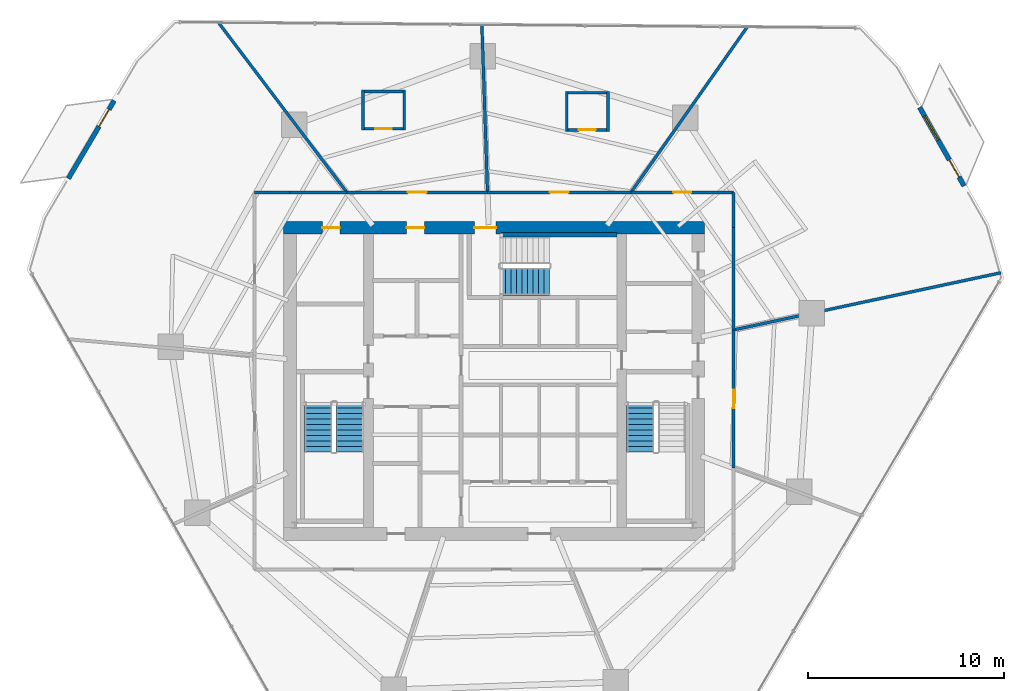
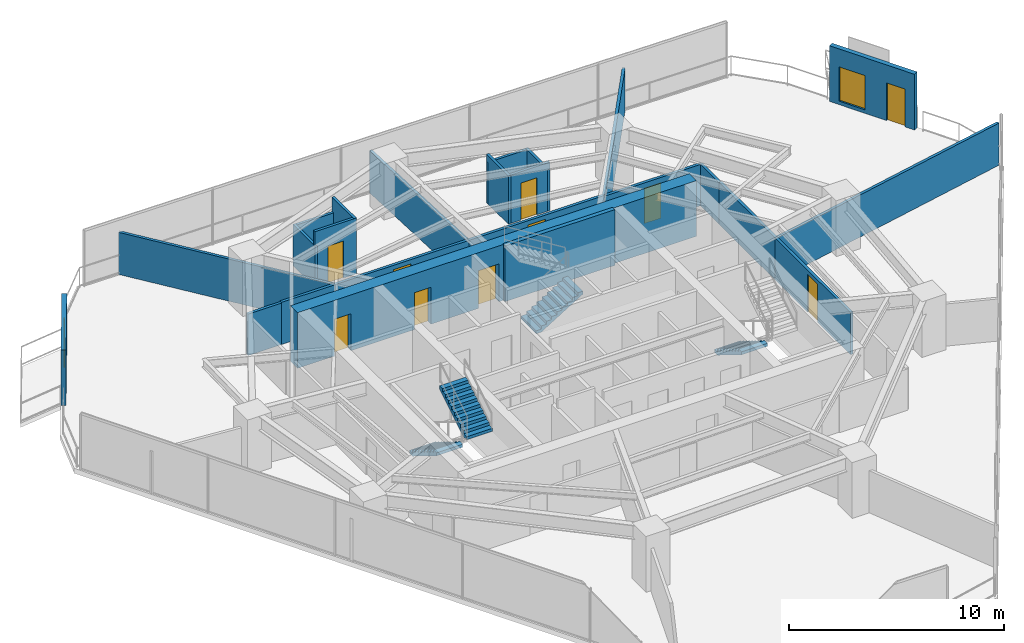
# One storey, part 26 of 31: 24 walls, 11 doors, 4 stair flights, 1 window, 12 openings, 3 elements without a shape of their own.
"""IFC4 building model written with IfcOpenShell, lengths in metres."""

from ifc_helpers import new_model, si_unit, direction, frame, frame_2d, origin, place, context, subcontext, project, spatial, polyline, rectangle, outline, extrude, material, layer, layer_set, type_object, element, fill, aggregate, save


model = new_model("IFC4")

# Units and contexts
model_context = context("Model", 3, precision=1e-05, world=origin(), true_north=direction((0.0, 1.0)))
body_context = subcontext(model_context, "Body", "Model", "MODEL_VIEW")
ifc_project = project(units=[si_unit("LENGTHUNIT", "METRE"), si_unit("AREAUNIT", "SQUARE_METRE"), si_unit("VOLUMEUNIT", "CUBIC_METRE"), si_unit("PLANEANGLEUNIT", "RADIAN"), si_unit("MASSUNIT", "GRAM", prefix="KILO")], contexts=[model_context])

# Site, building, storey
site_placement = place(None, origin())
site = spatial("IfcSite", under=ifc_project, at=site_placement, CompositionType="ELEMENT")
building_placement = place(site_placement, origin())
building = spatial("IfcBuilding", under=site, at=building_placement, Name="Qarnah Convention Tower", CompositionType="ELEMENT")
storey_placement = place(building_placement, frame((0.0, 0.0, 64.949951171875)))
storey = spatial("IfcBuildingStorey", under=building, at=storey_placement, Name="L16", CompositionType="ELEMENT", Elevation=64.949951171875)

# Wall, openings, doors
ifc_material_1 = material(Name="Concrete C60/75", Category="concrete")
ifc_layer_1 = layer(ifc_material_1, 0.64990234375)
ifc_layer_set_1 = layer_set([ifc_layer_1], Name="Concrete C60/75")
wall_type_1 = type_object("IfcWallType", Name="WL-CORE-650", PredefinedType="SHEAR", material=ifc_layer_set_1)
wall_1_placement = place(storey_placement, frame((26.47509765625, 34.199951171875, 0.0), z_axis=(0.0, 0.0, 1.0), x_axis=(1.0, 0.0, 0.0)))
wall_1 = element("IfcWall", 1, at=wall_1_placement, inside=storey, type_object=wall_type_1, Name="L16 core north shear wall", PredefinedType="SHEAR", context=body_context, shape_type="SweptSolid", body=[
    extrude(rectangle(XDim=21.449951171875, YDim=0.64990234375, at=frame_2d((10.72509765625, 0.0))), origin(), (0.0, 0.0, 1.0), 3.170166015625),
])
opening_1_placement = place(wall_1_placement, frame((9.72509765625, 0.0, 0.0)))
opening_1 = element("IfcOpeningElement", 2, at=opening_1_placement, cuts=wall_1, Name="Opening D-1603", PredefinedType="OPENING", context=body_context, shape_type="SweptSolid", body=[
    extrude(rectangle(XDim=1.10009765625, YDim=2.14990234375, at=frame_2d((0.550048828125, 1.074951171875))), frame((0.0, 0.3349609375, 0.0), z_axis=(0.0, -1.0, 0.0), x_axis=(1.0, 0.0, 0.0)), (0.0, 0.0, 1.0), 0.669921875),
])
opening_2_placement = place(wall_1_placement, frame((1.97509765625, 0.0, 0.0)))
opening_2 = element("IfcOpeningElement", 3, at=opening_2_placement, cuts=wall_1, Name="Opening D-1609", PredefinedType="OPENING", context=body_context, shape_type="SweptSolid", body=[
    extrude(rectangle(XDim=0.89990234375, YDim=2.10009765625, at=frame_2d((0.449951171875, 1.050048828125))), frame((0.0, 0.3349609375, 0.0), z_axis=(0.0, -1.0, 0.0), x_axis=(1.0, 0.0, 0.0)), (0.0, 0.0, 1.0), 0.669921875),
])
opening_3_placement = place(wall_1_placement, frame((6.27490234375, 0.0, 0.0)))
opening_3 = element("IfcOpeningElement", 4, at=opening_3_placement, cuts=wall_1, Name="Opening D-1610", PredefinedType="OPENING", context=body_context, shape_type="SweptSolid", body=[
    extrude(rectangle(XDim=0.89990234375, YDim=2.10009765625, at=frame_2d((0.449951171875, 1.050048828125))), frame((0.0, 0.3349609375, 0.0), z_axis=(0.0, -1.0, 0.0), x_axis=(1.0, 0.0, 0.0)), (0.0, 0.0, 1.0), 0.669921875),
])
ifc_material_2 = material(Name="Structural steel S355JR", Category="steel")
door_type_1 = type_object("IfcDoorType", Name="DT-RISER-900", OperationType="NOTDEFINED", PredefinedType="DOOR", material=ifc_material_2)
door_1_placement = place(opening_2_placement, origin())
door_1 = element("IfcDoor", 5, at=door_1_placement, inside=storey, type_object=door_type_1, Name="Door D-1609", OperationType="SINGLE_SWING_LEFT", OverallHeight=2.10009765625, OverallWidth=0.89990234375, PredefinedType="DOOR", context=body_context, shape_type="SweptSolid", body=[
    extrude(rectangle(XDim=0.89990234375, YDim=2.10009765625, at=frame_2d((0.449951171875, 1.050048828125))), frame((0.0, 0.02490234375, 0.0), z_axis=(0.0, -1.0, 0.0), x_axis=(1.0, 0.0, 0.0)), (0.0, 0.0, 1.0), 0.050048828125),
])
fill(opening_2, door_1)
door_2_placement = place(opening_3_placement, origin())
door_2 = element("IfcDoor", 6, at=door_2_placement, inside=storey, type_object=door_type_1, Name="Door D-1610", OperationType="SINGLE_SWING_RIGHT", OverallHeight=2.10009765625, OverallWidth=0.89990234375, PredefinedType="DOOR", context=body_context, shape_type="SweptSolid", body=[
    extrude(rectangle(XDim=0.89990234375, YDim=2.10009765625, at=frame_2d((0.449951171875, 1.050048828125))), frame((0.0, 0.02490234375, 0.0), z_axis=(0.0, -1.0, 0.0), x_axis=(1.0, 0.0, 0.0)), (0.0, 0.0, 1.0), 0.050048828125),
])
fill(opening_3, door_2)
door_type_2 = type_object("IfcDoorType", Name="DT-STAIR-1100", OperationType="NOTDEFINED", PredefinedType="DOOR", material=ifc_material_2)
door_3_placement = place(opening_1_placement, origin())
door_3 = element("IfcDoor", 7, at=door_3_placement, inside=storey, type_object=door_type_2, Name="Door D-1603", OperationType="SINGLE_SWING_LEFT", OverallHeight=2.14990234375, OverallWidth=1.10009765625, PredefinedType="DOOR", context=body_context, shape_type="SweptSolid", body=[
    extrude(rectangle(XDim=1.10009765625, YDim=2.14990234375, at=frame_2d((0.550048828125, 1.074951171875))), frame((0.0, 0.02490234375, 0.0), z_axis=(0.0, -1.0, 0.0), x_axis=(1.0, 0.0, 0.0)), (0.0, 0.0, 1.0), 0.050048828125),
])
fill(opening_1, door_3)

# Wall
ifc_layer_2 = layer(ifc_material_1, 0.219970703125)
ifc_layer_set_2 = layer_set([ifc_layer_2], Name="Concrete C60/75")
wall_type_2 = type_object("IfcWallType", Name="WL-CORE-STAIR-220", PredefinedType="SHEAR", material=ifc_layer_set_2)
wall_2_placement = place(storey_placement, frame((37.550048828125, 33.840087890625, 0.0), z_axis=(0.0, 0.0, 1.0), x_axis=(1.0, 0.0, 0.0)))
element("IfcWall", 8, at=wall_2_placement, inside=storey, type_object=wall_type_2, Name="L16 stair shaft shear wall SW-L16-ST3N", PredefinedType="SHEAR", context=body_context, shape_type="SweptSolid", body=[
    extrude(rectangle(XDim=5.89990234375, YDim=0.219970703125, at=frame_2d((2.949951171875, 0.0))), origin(), (0.0, 0.0, 1.0), 3.170166015625),
])

# Wall, openings, door, window
ifc_material_3 = material(Name="Precast concrete C45/55", Category="concrete")
ifc_layer_3 = layer(ifc_material_3, 0.239990234375)
ifc_layer_set_3 = layer_set([ifc_layer_3], Name="Precast concrete C45/55")
wall_type_3 = type_object("IfcWallType", Name="WL-EXT-BAL-240", PredefinedType="SOLIDWALL", material=ifc_layer_set_3)
wall_3_placement = place(storey_placement, frame((58.8720703125, 40.325927734375, 0.0), z_axis=(0.0, 0.0, 1.0), x_axis=(0.492768843328, -0.870160253657, 0.0)))
wall_3 = element("IfcWall", 9, at=wall_3_placement, inside=storey, type_object=wall_type_3, Name="L16 loggia threshold wall BAL-L16-C1", PredefinedType="SOLIDWALL", context=body_context, shape_type="SweptSolid", body=[
    extrude(rectangle(XDim=4.600341796875, YDim=0.239990234375, at=frame_2d((2.30029296875, 0.0))), origin(), (0.0, 0.0, 1.0), 3.170166015625),
])
opening_4_placement = place(wall_3_placement, frame((3.080078125, 0.0, 0.0)))
opening_4 = element("IfcOpeningElement", 10, at=opening_4_placement, cuts=wall_3, Name="Opening BD-1601", PredefinedType="OPENING", context=body_context, shape_type="SweptSolid", body=[
    extrude(rectangle(XDim=1.0, YDim=2.14990234375, at=frame_2d((0.5, 1.074951171875))), frame((0.0, 0.1298828125, 0.0), z_axis=(0.0, -1.0, 0.0), x_axis=(1.0, 0.0, 0.0)), (0.0, 0.0, 1.0), 0.260009765625),
])
opening_5_placement = place(wall_3_placement, frame((0.52001953125, 0.0, 0.199951171875)))
opening_5 = element("IfcOpeningElement", 11, at=opening_5_placement, cuts=wall_3, Name="Opening WN4", PredefinedType="OPENING", context=body_context, shape_type="SweptSolid", body=[
    extrude(rectangle(XDim=1.39990234375, YDim=1.949951171875, at=frame_2d((0.699951171875, 0.97509765625))), frame((0.0, 0.1298828125, 0.0), z_axis=(0.0, -1.0, 0.0), x_axis=(1.0, 0.0, 0.0)), (0.0, 0.0, 1.0), 0.260009765625),
])
ifc_material_4 = material(Name="Black anodised aluminium", Category="aluminium")
door_type_3 = type_object("IfcDoorType", Name="DT-BAL-1000", OperationType="NOTDEFINED", PredefinedType="DOOR", material=ifc_material_4)
door_4_placement = place(opening_4_placement, origin())
door_4 = element("IfcDoor", 12, at=door_4_placement, inside=storey, type_object=door_type_3, Name="L16 balcony terrace door BAL-L16-C1", OperationType="SINGLE_SWING_RIGHT", OverallHeight=2.14990234375, OverallWidth=1.0, PredefinedType="DOOR", context=body_context, shape_type="SweptSolid", body=[
    extrude(rectangle(XDim=1.0, YDim=2.14990234375, at=frame_2d((0.5, 1.074951171875))), frame((0.0, 0.02490234375, 0.0), z_axis=(0.0, -1.0, 0.0), x_axis=(1.0, 0.0, 0.0)), (0.0, 0.0, 1.0), 0.050048828125),
])
fill(opening_4, door_4)
ifc_material_5 = material(Name="Tempered Low-E dark glass", Category="glass")
window_type = type_object("IfcWindowType", Name="WT-BAL-1400X2000", PartitioningType="SINGLE_PANEL", PredefinedType="WINDOW", material=ifc_material_5)
window_placement = place(opening_5_placement, origin())
window = element("IfcWindow", 13, at=window_placement, inside=storey, type_object=window_type, Name="Window BW-BAL-L16-C1", OverallHeight=1.949951171875, OverallWidth=1.39990234375, PartitioningType="SINGLE_PANEL", PredefinedType="WINDOW", context=body_context, shape_type="SweptSolid", body=[
    extrude(rectangle(XDim=1.39990234375, YDim=1.949951171875, at=frame_2d((0.699951171875, 0.97509765625))), frame((0.0, 0.030029296875, 0.0), z_axis=(0.0, -1.0, 0.0), x_axis=(1.0, 0.0, 0.0)), (0.0, 0.0, 1.0), 0.06005859375),
])
fill(opening_5, window)

# Wall, opening, door
wall_4_placement = place(storey_placement, frame((15.51806640625, 36.705078125, 0.0), z_axis=(0.0, 0.0, 1.0), x_axis=(0.507233523081, 0.861808652233, 0.0)))
wall_4 = element("IfcWall", 14, at=wall_4_placement, inside=storey, type_object=wall_type_3, Name="L16 loggia threshold wall BAL-L16-C2", PredefinedType="SOLIDWALL", context=body_context, shape_type="SweptSolid", body=[
    extrude(rectangle(XDim=4.599365234375, YDim=0.239990234375, at=frame_2d((2.2998046875, 0.0))), origin(), (0.0, 0.0, 1.0), 3.170166015625),
])
opening_6_placement = place(wall_4_placement, frame((3.080078125, 0.0, 0.0)))
opening_6 = element("IfcOpeningElement", 15, at=opening_6_placement, cuts=wall_4, Name="Opening BD-1602", PredefinedType="OPENING", context=body_context, shape_type="SweptSolid", body=[
    extrude(rectangle(XDim=1.0, YDim=2.14990234375, at=frame_2d((0.5, 1.074951171875))), frame((0.0, 0.1298828125, 0.0), z_axis=(0.0, -1.0, 0.0), x_axis=(1.0, 0.0, 0.0)), (0.0, 0.0, 1.0), 0.260009765625),
])
door_5_placement = place(opening_6_placement, origin())
door_5 = element("IfcDoor", 16, at=door_5_placement, inside=storey, type_object=door_type_3, Name="L16 balcony terrace door BAL-L16-C2", OperationType="SINGLE_SWING_LEFT", OverallHeight=2.14990234375, OverallWidth=1.0, PredefinedType="DOOR", context=body_context, shape_type="SweptSolid", body=[
    extrude(rectangle(XDim=1.0, YDim=2.14990234375, at=frame_2d((0.5, 1.074951171875))), frame((0.0, 0.02490234375, 0.0), z_axis=(0.0, -1.0, 0.0), x_axis=(1.0, 0.0, 0.0)), (0.0, 0.0, 1.0), 0.050048828125),
])
fill(opening_6, door_5)

# Wall
ifc_material_6 = material(Name="Gypsum partition board")
ifc_layer_4 = layer(ifc_material_6, 0.14990234375)
ifc_layer_set_4 = layer_set([ifc_layer_4], Name="Gypsum partition board")
wall_type_4 = type_object("IfcWallType", Name="WL-SUITE-150", PredefinedType="PARTITIONING", material=ifc_layer_set_4)
wall_5_placement = place(storey_placement, frame((50.1259765625, 44.467041015625, 0.0), z_axis=(0.0, 0.0, 1.0), x_axis=(-0.575017647092, -0.818141005899, 0.0)))
element("IfcWall", 17, at=wall_5_placement, inside=storey, type_object=wall_type_4, Name="L16 interior wall IW-L16-R-09", PredefinedType="PARTITIONING", context=body_context, shape_type="SweptSolid", body=[
    extrude(rectangle(XDim=10.34912109375, YDim=0.14990234375, at=frame_2d((5.174560546875, 0.0))), origin(), (0.0, 0.0, 1.0), 2.39501953125),
])

# Wall, opening, door
wall_6_placement = place(storey_placement, frame((44.175048828125, 36.0, 0.0), z_axis=(0.0, 0.0, 1.0), x_axis=(1.0, 0.0, 0.0)))
wall_6 = element("IfcWall", 18, at=wall_6_placement, inside=storey, type_object=wall_type_4, Name="L16 interior wall IW-L16-R-10", PredefinedType="PARTITIONING", context=body_context, shape_type="SweptSolid", body=[
    extrude(rectangle(XDim=5.224853515625, YDim=0.14990234375, at=frame_2d((2.6123046875, 0.0))), origin(), (0.0, 0.0, 1.0), 2.35498046875),
])
opening_7_placement = place(wall_6_placement, frame((2.1630859375, 0.0, 0.0)))
opening_7 = element("IfcOpeningElement", 19, at=opening_7_placement, cuts=wall_6, Name="Opening D-1616", PredefinedType="OPENING", context=body_context, shape_type="SweptSolid", body=[
    extrude(rectangle(XDim=0.89990234375, YDim=2.0, at=frame_2d((0.449951171875, 1.0))), frame((0.0, 0.0849609375, 0.0), z_axis=(0.0, -1.0, 0.0), x_axis=(1.0, 0.0, 0.0)), (0.0, 0.0, 1.0), 0.169921875),
])
door_type_4 = type_object("IfcDoorType", Name="DT-PLANT-900", OperationType="NOTDEFINED", PredefinedType="DOOR", material=ifc_material_2)
door_6_placement = place(opening_7_placement, origin())
door_6 = element("IfcDoor", 20, at=door_6_placement, inside=storey, type_object=door_type_4, Name="Door D-1616", OperationType="SINGLE_SWING_RIGHT", OverallHeight=2.0, OverallWidth=0.89990234375, PredefinedType="DOOR", context=body_context, shape_type="SweptSolid", body=[
    extrude(rectangle(XDim=0.89990234375, YDim=2.0, at=frame_2d((0.449951171875, 1.0))), frame((0.0, 0.02490234375, 0.0), z_axis=(0.0, -1.0, 0.0), x_axis=(1.0, 0.0, 0.0)), (0.0, 0.0, 1.0), 0.050048828125),
])
fill(opening_7, door_6)

# Walls
wall_7_placement = place(storey_placement, frame((49.39990234375, 36.0, 0.0), z_axis=(0.0, 0.0, 1.0), x_axis=(0.0, -1.0, 0.0)))
element("IfcWall", 21, at=wall_7_placement, inside=storey, type_object=wall_type_4, Name="L16 interior wall IW-L16-R-11", PredefinedType="PARTITIONING", context=body_context, shape_type="SweptSolid", body=[
    extrude(rectangle(XDim=1.800048828125, YDim=0.14990234375, at=frame_2d((0.89990234375, 0.0))), origin(), (0.0, 0.0, 1.0), 2.35498046875),
])
wall_8_placement = place(storey_placement, frame((49.39990234375, 34.199951171875, 0.0), z_axis=(0.0, 0.0, 1.0), x_axis=(0.0, -1.0, 0.0)))
element("IfcWall", 22, at=wall_8_placement, inside=storey, type_object=wall_type_4, Name="L16 interior wall IW-L16-R-12", PredefinedType="PARTITIONING", context=body_context, shape_type="SweptSolid", body=[
    extrude(rectangle(XDim=5.20703125, YDim=0.14990234375, at=frame_2d((2.603515625, 0.0))), origin(), (0.0, 0.0, 1.0), 2.39501953125),
])
wall_9_placement = place(storey_placement, frame((49.39990234375, 28.992919921875, 0.0), z_axis=(0.0, 0.0, 1.0), x_axis=(0.977889846651, 0.209120653732, 0.0)))
element("IfcWall", 23, at=wall_9_placement, inside=storey, type_object=wall_type_4, Name="L16 interior wall IW-L16-R-13", PredefinedType="PARTITIONING", context=body_context, shape_type="SweptSolid", body=[
    extrude(rectangle(XDim=13.9208984375, YDim=0.14990234375, at=frame_2d((6.96044921875, 0.0))), origin(), (0.0, 0.0, 1.0), 2.39501953125),
])
wall_10_placement = place(storey_placement, frame((36.577880859375, 44.56591796875, 0.0), z_axis=(0.0, 0.0, 1.0), x_axis=(0.033498830811, -0.99943875667, 0.0)))
element("IfcWall", 24, at=wall_10_placement, inside=storey, type_object=wall_type_4, Name="L16 interior wall IW-L16-R-14", PredefinedType="PARTITIONING", context=body_context, shape_type="SweptSolid", body=[
    extrude(rectangle(XDim=8.57080078125, YDim=0.14990234375, at=frame_2d((4.285400390625, 0.0))), origin(), (0.0, 0.0, 1.0), 2.39501953125),
])

# Wall, opening, door
wall_11_placement = place(storey_placement, frame((36.864990234375, 36.0, 0.0), z_axis=(0.0, 0.0, 1.0), x_axis=(1.0, 0.0, 0.0)))
wall_11 = element("IfcWall", 25, at=wall_11_placement, inside=storey, type_object=wall_type_4, Name="L16 interior wall IW-L16-R-15", PredefinedType="PARTITIONING", context=body_context, shape_type="SweptSolid", body=[
    extrude(rectangle(XDim=7.31005859375, YDim=0.14990234375, at=frame_2d((3.655029296875, 0.0))), origin(), (0.0, 0.0, 1.0), 2.39501953125),
])
opening_8_placement = place(wall_11_placement, frame((3.179931640625, 0.0, 0.0)))
opening_8 = element("IfcOpeningElement", 26, at=opening_8_placement, cuts=wall_11, Name="Opening D-1617", PredefinedType="OPENING", context=body_context, shape_type="SweptSolid", body=[
    extrude(rectangle(XDim=0.949951171875, YDim=2.14990234375, at=frame_2d((0.47509765625, 1.074951171875))), frame((0.0, 0.0849609375, 0.0), z_axis=(0.0, -1.0, 0.0), x_axis=(1.0, 0.0, 0.0)), (0.0, 0.0, 1.0), 0.169921875),
])
ifc_material_7 = material(Name="Oak timber veneer", Category="wood")
door_type_5 = type_object("IfcDoorType", Name="DT-HOTEL-950", OperationType="NOTDEFINED", PredefinedType="DOOR", material=ifc_material_7)
door_7_placement = place(opening_8_placement, origin())
door_7 = element("IfcDoor", 27, at=door_7_placement, inside=storey, type_object=door_type_5, Name="Door D-1617", OperationType="SINGLE_SWING_LEFT", OverallHeight=2.14990234375, OverallWidth=0.949951171875, PredefinedType="DOOR", context=body_context, shape_type="SweptSolid", body=[
    extrude(rectangle(XDim=0.949951171875, YDim=2.14990234375, at=frame_2d((0.47509765625, 1.074951171875))), frame((0.0, 0.02490234375, 0.0), z_axis=(0.0, -1.0, 0.0), x_axis=(1.0, 0.0, 0.0)), (0.0, 0.0, 1.0), 0.050048828125),
])
fill(opening_8, door_7)

# Wall
wall_12_placement = place(storey_placement, frame((23.1259765625, 44.695068359375, 0.0), z_axis=(0.0, 0.0, 1.0), x_axis=(0.603088115547, -0.797674573298, 0.0)))
element("IfcWall", 28, at=wall_12_placement, inside=storey, type_object=wall_type_4, Name="L16 interior wall IW-L16-R-16", PredefinedType="PARTITIONING", context=body_context, shape_type="SweptSolid", body=[
    extrude(rectangle(XDim=10.900634765625, YDim=0.14990234375, at=frame_2d((5.4501953125, 0.0))), origin(), (0.0, 0.0, 1.0), 2.39501953125),
])

# Wall, opening, door
wall_13_placement = place(storey_placement, frame((29.699951171875, 36.0, 0.0), z_axis=(0.0, 0.0, 1.0), x_axis=(1.0, 0.0, 0.0)))
wall_13 = element("IfcWall", 29, at=wall_13_placement, inside=storey, type_object=wall_type_4, Name="L16 interior wall IW-L16-R-17", PredefinedType="PARTITIONING", context=body_context, shape_type="SweptSolid", body=[
    extrude(rectangle(XDim=7.1650390625, YDim=0.14990234375, at=frame_2d((3.58251953125, 0.0))), origin(), (0.0, 0.0, 1.0), 2.39501953125),
])
opening_9_placement = place(wall_13_placement, frame((3.10791015625, 0.0, 0.0)))
opening_9 = element("IfcOpeningElement", 30, at=opening_9_placement, cuts=wall_13, Name="Opening D-1619", PredefinedType="OPENING", context=body_context, shape_type="SweptSolid", body=[
    extrude(rectangle(XDim=0.949951171875, YDim=2.14990234375, at=frame_2d((0.47509765625, 1.074951171875))), frame((0.0, 0.0849609375, 0.0), z_axis=(0.0, -1.0, 0.0), x_axis=(1.0, 0.0, 0.0)), (0.0, 0.0, 1.0), 0.169921875),
])
door_8_placement = place(opening_9_placement, origin())
door_8 = element("IfcDoor", 31, at=door_8_placement, inside=storey, type_object=door_type_5, Name="Door D-1619", OperationType="SINGLE_SWING_LEFT", OverallHeight=2.14990234375, OverallWidth=0.949951171875, PredefinedType="DOOR", context=body_context, shape_type="SweptSolid", body=[
    extrude(rectangle(XDim=0.949951171875, YDim=2.14990234375, at=frame_2d((0.47509765625, 1.074951171875))), frame((0.0, 0.02490234375, 0.0), z_axis=(0.0, -1.0, 0.0), x_axis=(1.0, 0.0, 0.0)), (0.0, 0.0, 1.0), 0.050048828125),
])
fill(opening_9, door_8)

# Walls
wall_14_placement = place(storey_placement, frame((25.0, 36.0, 0.0), z_axis=(0.0, 0.0, 1.0), x_axis=(1.0, 0.0, 0.0)))
element("IfcWall", 32, at=wall_14_placement, inside=storey, type_object=wall_type_4, Name="L16 interior wall IW-L16-R-20", PredefinedType="PARTITIONING", context=body_context, shape_type="SweptSolid", body=[
    extrude(rectangle(XDim=1.800048828125, YDim=0.14990234375, at=frame_2d((0.89990234375, 0.0))), origin(), (0.0, 0.0, 1.0), 2.35498046875),
])
wall_15_placement = place(storey_placement, frame((26.800048828125, 36.0, 0.0), z_axis=(0.0, 0.0, 1.0), x_axis=(1.0, 0.0, 0.0)))
element("IfcWall", 33, at=wall_15_placement, inside=storey, type_object=wall_type_4, Name="L16 interior wall IW-L16-R-21", PredefinedType="PARTITIONING", context=body_context, shape_type="SweptSolid", body=[
    extrude(rectangle(XDim=2.89990234375, YDim=0.14990234375, at=frame_2d((1.449951171875, 0.0))), origin(), (0.0, 0.0, 1.0), 2.39501953125),
])

# Wall, opening, door
wall_16_placement = place(storey_placement, frame((49.39990234375, 28.992919921875, 0.0), z_axis=(0.0, 0.0, 1.0), x_axis=(0.0, -1.0, 0.0)))
wall_16 = element("IfcWall", 34, at=wall_16_placement, inside=storey, type_object=wall_type_4, Name="L16 interior wall IW-L16-R-34", PredefinedType="PARTITIONING", context=body_context, shape_type="SweptSolid", body=[
    extrude(rectangle(XDim=7.032958984375, YDim=0.14990234375, at=frame_2d((3.5166015625, 0.0))), origin(), (0.0, 0.0, 1.0), 2.39501953125),
])
opening_10_placement = place(wall_16_placement, frame((3.041015625, 0.0, 0.0)))
opening_10 = element("IfcOpeningElement", 35, at=opening_10_placement, cuts=wall_16, Name="Opening D-1626", PredefinedType="OPENING", context=body_context, shape_type="SweptSolid", body=[
    extrude(rectangle(XDim=0.949951171875, YDim=2.14990234375, at=frame_2d((0.47509765625, 1.074951171875))), frame((0.0, 0.0849609375, 0.0), z_axis=(0.0, -1.0, 0.0), x_axis=(1.0, 0.0, 0.0)), (0.0, 0.0, 1.0), 0.169921875),
])
door_9_placement = place(opening_10_placement, origin())
door_9 = element("IfcDoor", 36, at=door_9_placement, inside=storey, type_object=door_type_5, Name="Door D-1626", OperationType="SINGLE_SWING_RIGHT", OverallHeight=2.14990234375, OverallWidth=0.949951171875, PredefinedType="DOOR", context=body_context, shape_type="SweptSolid", body=[
    extrude(rectangle(XDim=0.949951171875, YDim=2.14990234375, at=frame_2d((0.47509765625, 1.074951171875))), frame((0.0, 0.02490234375, 0.0), z_axis=(0.0, -1.0, 0.0), x_axis=(1.0, 0.0, 0.0)), (0.0, 0.0, 1.0), 0.050048828125),
])
fill(opening_10, door_9)

ifc_layer_5 = layer(ifc_material_6, 0.139892578125)
ifc_layer_set_5 = layer_set([ifc_layer_5], Name="Gypsum partition board")
wall_type_5 = type_object("IfcWallType", Name="WL-WET-140", PredefinedType="PARTITIONING", material=ifc_layer_set_5)
wall_17_placement = place(storey_placement, frame((40.826904296875, 39.176025390625, 0.0), z_axis=(0.0, 0.0, 1.0), x_axis=(1.0, 0.0, 0.0)))
wall_17 = element("IfcWall", 37, at=wall_17_placement, inside=storey, type_object=wall_type_5, Name="L16 interior wall IW-L16-ENS01-1", PredefinedType="PARTITIONING", context=body_context, shape_type="SweptSolid", body=[
    extrude(rectangle(XDim=2.239990234375, YDim=0.139892578125, at=frame_2d((1.1201171875, 0.0))), origin(), (0.0, 0.0, 1.0), 2.7470703125),
])
opening_11_placement = place(wall_17_placement, frame((0.695068359375, 0.0, 0.0)))
opening_11 = element("IfcOpeningElement", 38, at=opening_11_placement, cuts=wall_17, Name="Opening D-1618", PredefinedType="OPENING", context=body_context, shape_type="SweptSolid", body=[
    extrude(rectangle(XDim=0.85009765625, YDim=2.10009765625, at=frame_2d((0.425048828125, 1.050048828125))), frame((0.0, 0.079833984375, 0.0), z_axis=(0.0, -1.0, 0.0), x_axis=(1.0, 0.0, 0.0)), (0.0, 0.0, 1.0), 0.159912109375),
])
door_type_6 = type_object("IfcDoorType", Name="DT-BATH-850", OperationType="NOTDEFINED", PredefinedType="DOOR", material=ifc_material_7)
door_10_placement = place(opening_11_placement, origin())
door_10 = element("IfcDoor", 39, at=door_10_placement, inside=storey, type_object=door_type_6, Name="Door D-1618", OperationType="SINGLE_SWING_RIGHT", OverallHeight=2.10009765625, OverallWidth=0.85009765625, PredefinedType="DOOR", context=body_context, shape_type="SweptSolid", body=[
    extrude(rectangle(XDim=0.85009765625, YDim=2.10009765625, at=frame_2d((0.425048828125, 1.050048828125))), frame((0.0, 0.02490234375, 0.0), z_axis=(0.0, -1.0, 0.0), x_axis=(1.0, 0.0, 0.0)), (0.0, 0.0, 1.0), 0.050048828125),
])
fill(opening_11, door_10)

# Walls
wall_18_placement = place(storey_placement, frame((42.9970703125, 39.10595703125, 0.0), z_axis=(0.0, 0.0, 1.0), x_axis=(0.0, 1.0, 0.0)))
element("IfcWall", 40, at=wall_18_placement, inside=storey, type_object=wall_type_5, Name="L16 interior wall IW-L16-ENS01-2", PredefinedType="PARTITIONING", context=body_context, shape_type="SweptSolid", body=[
    extrude(rectangle(XDim=2.0400390625, YDim=0.139892578125, at=frame_2d((1.02001953125, 0.0))), origin(), (0.0, 0.0, 1.0), 2.35498046875),
])
wall_19_placement = place(storey_placement, frame((43.06689453125, 41.075927734375, 0.0), z_axis=(0.0, 0.0, 1.0), x_axis=(-1.0, 0.0, 0.0)))
element("IfcWall", 41, at=wall_19_placement, inside=storey, type_object=wall_type_5, Name="L16 interior wall IW-L16-ENS01-3", PredefinedType="PARTITIONING", context=body_context, shape_type="SweptSolid", body=[
    extrude(rectangle(XDim=2.239990234375, YDim=0.139892578125, at=frame_2d((1.1201171875, 0.0))), origin(), (0.0, 0.0, 1.0), 2.35498046875),
])
wall_20_placement = place(storey_placement, frame((40.89697265625, 41.14599609375, 0.0), z_axis=(0.0, 0.0, 1.0), x_axis=(0.0, -1.0, 0.0)))
element("IfcWall", 42, at=wall_20_placement, inside=storey, type_object=wall_type_5, Name="L16 interior wall IW-L16-ENS01-4", PredefinedType="PARTITIONING", context=body_context, shape_type="SweptSolid", body=[
    extrude(rectangle(XDim=2.0400390625, YDim=0.139892578125, at=frame_2d((1.02001953125, 0.0))), origin(), (0.0, 0.0, 1.0), 2.7470703125),
])

# Wall, opening, door
wall_21_placement = place(storey_placement, frame((30.455078125, 39.23291015625, 0.0), z_axis=(0.0, 0.0, 1.0), x_axis=(1.0, 0.0, 0.0)))
wall_21 = element("IfcWall", 43, at=wall_21_placement, inside=storey, type_object=wall_type_5, Name="L16 interior wall IW-L16-ENS02-1", PredefinedType="PARTITIONING", context=body_context, shape_type="SweptSolid", body=[
    extrude(rectangle(XDim=2.239990234375, YDim=0.139892578125, at=frame_2d((1.1201171875, 0.0))), origin(), (0.0, 0.0, 1.0), 3.170166015625),
])
opening_12_placement = place(wall_21_placement, frame((0.695068359375, 0.0, 0.0)))
opening_12 = element("IfcOpeningElement", 44, at=opening_12_placement, cuts=wall_21, Name="Opening D-1620", PredefinedType="OPENING", context=body_context, shape_type="SweptSolid", body=[
    extrude(rectangle(XDim=0.85009765625, YDim=2.10009765625, at=frame_2d((0.425048828125, 1.050048828125))), frame((0.0, 0.079833984375, 0.0), z_axis=(0.0, -1.0, 0.0), x_axis=(1.0, 0.0, 0.0)), (0.0, 0.0, 1.0), 0.159912109375),
])
door_11_placement = place(opening_12_placement, origin())
door_11 = element("IfcDoor", 45, at=door_11_placement, inside=storey, type_object=door_type_6, Name="Door D-1620", OperationType="SINGLE_SWING_RIGHT", OverallHeight=2.10009765625, OverallWidth=0.85009765625, PredefinedType="DOOR", context=body_context, shape_type="SweptSolid", body=[
    extrude(rectangle(XDim=0.85009765625, YDim=2.10009765625, at=frame_2d((0.425048828125, 1.050048828125))), frame((0.0, 0.02490234375, 0.0), z_axis=(0.0, -1.0, 0.0), x_axis=(1.0, 0.0, 0.0)), (0.0, 0.0, 1.0), 0.050048828125),
])
fill(opening_12, door_11)

# Walls
wall_22_placement = place(storey_placement, frame((32.625, 39.1630859375, 0.0), z_axis=(0.0, 0.0, 1.0), x_axis=(0.0, 1.0, 0.0)))
element("IfcWall", 46, at=wall_22_placement, inside=storey, type_object=wall_type_5, Name="L16 interior wall IW-L16-ENS02-2", PredefinedType="PARTITIONING", context=body_context, shape_type="SweptSolid", body=[
    extrude(rectangle(XDim=2.039794921875, YDim=0.139892578125, at=frame_2d((1.02001953125, 0.0))), origin(), (0.0, 0.0, 1.0), 3.170166015625),
])
wall_23_placement = place(storey_placement, frame((32.695068359375, 41.133056640625, 0.0), z_axis=(0.0, 0.0, 1.0), x_axis=(-1.0, 0.0, 0.0)))
element("IfcWall", 47, at=wall_23_placement, inside=storey, type_object=wall_type_5, Name="L16 interior wall IW-L16-ENS02-3", PredefinedType="PARTITIONING", context=body_context, shape_type="SweptSolid", body=[
    extrude(rectangle(XDim=2.239990234375, YDim=0.139892578125, at=frame_2d((1.1201171875, 0.0))), origin(), (0.0, 0.0, 1.0), 2.35498046875),
])
wall_24_placement = place(storey_placement, frame((30.52490234375, 41.202880859375, 0.0), z_axis=(0.0, 0.0, 1.0), x_axis=(0.0, -1.0, 0.0)))
element("IfcWall", 48, at=wall_24_placement, inside=storey, type_object=wall_type_5, Name="L16 interior wall IW-L16-ENS02-4", PredefinedType="PARTITIONING", context=body_context, shape_type="SweptSolid", body=[
    extrude(rectangle(XDim=2.039794921875, YDim=0.139892578125, at=frame_2d((1.02001953125, 0.0))), origin(), (0.0, 0.0, 1.0), 2.35498046875),
])

# Stair, stair flights
ifc_material_8 = material(Name="Concrete C50/60", Category="concrete")
stair_type = type_object("IfcStairType", Name="STR-HTL", PredefinedType="HALF_TURN_STAIR", material=ifc_material_8)
stair_1_placement = place(storey_placement, origin())
stair_1 = element("IfcStair", 49, at=stair_1_placement, inside=storey, type_object=stair_type, Name="L16 Core exit stair ST-1", PredefinedType="HALF_TURN_STAIR")
stair_flight_type = type_object("IfcStairFlightType", Name="FLT-HTL", PredefinedType="STRAIGHT", material=ifc_material_8)
stair_flight_1_placement = place(storey_placement, frame((28.25, 25.300048828125, 0.0), z_axis=(0.0, 0.0, 1.0), x_axis=(0.0, -1.0, 0.0)))
stair_flight_1 = element("IfcStairFlight", 50, at=stair_flight_1_placement, type_object=stair_flight_type, Name="ST-1 flight 1", NumberOfRisers=10, NumberOfTreads=9, PredefinedType="STRAIGHT", RiserHeight=0.1725, TreadLength=0.28, context=body_context, shape_type="SweptSolid", body=[
    extrude(outline(polyline([(0.0, 0.0), (0.0, 0.172607421875), (0.280029296875, 0.172607421875), (0.280029296875, 0.344970703125), (0.56005859375, 0.344970703125), (0.56005859375, 0.517578125), (0.840087890625, 0.517578125), (0.840087890625, 0.68994140625), (1.1201171875, 0.68994140625), (1.1201171875, 0.862548828125), (1.39990234375, 0.862548828125), (1.39990234375, 1.034912109375), (1.679931640625, 1.034912109375), (1.679931640625, 1.20751953125), (1.9599609375, 1.20751953125), (1.9599609375, 1.3798828125), (2.239990234375, 1.3798828125), (2.239990234375, 1.552490234375), (2.52001953125, 1.552490234375), (2.52001953125, 1.72509765625), (2.52001953125, 1.37646484375), (0.285888671875, 0.0), (0.0, 0.0)])), frame((0.0, 0.699951171875, 0.0), z_axis=(0.0, -1.0, 0.0), x_axis=(1.0, 0.0, 0.0)), (0.0, 0.0, 1.0), 1.39990234375),
])
stair_flight_2_placement = place(storey_placement, frame((29.85009765625, 22.780029296875, 1.72509765625), z_axis=(0.0, 0.0, 1.0), x_axis=(0.0, 1.0, 0.0)))
stair_flight_2 = element("IfcStairFlight", 51, at=stair_flight_2_placement, type_object=stair_flight_type, Name="ST-1 flight 2", NumberOfRisers=10, NumberOfTreads=9, PredefinedType="STRAIGHT", RiserHeight=0.1725, TreadLength=0.28, context=body_context, shape_type="SweptSolid", body=[
    extrude(outline(polyline([(0.0, 0.0), (0.0, 0.172607421875), (0.280029296875, 0.172607421875), (0.280029296875, 0.344970703125), (0.56005859375, 0.344970703125), (0.56005859375, 0.517578125), (0.840087890625, 0.517578125), (0.840087890625, 0.68994140625), (1.1201171875, 0.68994140625), (1.1201171875, 0.862548828125), (1.39990234375, 0.862548828125), (1.39990234375, 1.034912109375), (1.679931640625, 1.034912109375), (1.679931640625, 1.20751953125), (1.9599609375, 1.20751953125), (1.9599609375, 1.3798828125), (2.239990234375, 1.3798828125), (2.239990234375, 1.552490234375), (2.52001953125, 1.552490234375), (2.52001953125, 1.72509765625), (2.52001953125, 1.37646484375), (0.285888671875, 0.0), (0.0, 0.0)])), frame((0.0, 0.699951171875, 0.0), z_axis=(0.0, -1.0, 0.0), x_axis=(1.0, 0.0, 0.0)), (0.0, 0.0, 1.0), 1.39990234375),
])
aggregate(stair_1, [stair_flight_1, stair_flight_2])

# Stair, stair flight
stair_2_placement = place(storey_placement, origin())
stair_2 = element("IfcStair", 52, at=stair_2_placement, inside=storey, type_object=stair_type, Name="L16 Core exit stair ST-2", PredefinedType="HALF_TURN_STAIR")
stair_flight_3_placement = place(storey_placement, frame((44.64990234375, 25.300048828125, 0.0), z_axis=(0.0, 0.0, 1.0), x_axis=(0.0, -1.0, 0.0)))
stair_flight_3 = element("IfcStairFlight", 53, at=stair_flight_3_placement, type_object=stair_flight_type, Name="ST-2 flight 1", NumberOfRisers=10, NumberOfTreads=9, PredefinedType="STRAIGHT", RiserHeight=0.1725, TreadLength=0.28, context=body_context, shape_type="SweptSolid", body=[
    extrude(outline(polyline([(0.0, 0.0), (0.0, 0.172607421875), (0.280029296875, 0.172607421875), (0.280029296875, 0.344970703125), (0.56005859375, 0.344970703125), (0.56005859375, 0.517578125), (0.840087890625, 0.517578125), (0.840087890625, 0.68994140625), (1.1201171875, 0.68994140625), (1.1201171875, 0.862548828125), (1.39990234375, 0.862548828125), (1.39990234375, 1.034912109375), (1.679931640625, 1.034912109375), (1.679931640625, 1.20751953125), (1.9599609375, 1.20751953125), (1.9599609375, 1.3798828125), (2.239990234375, 1.3798828125), (2.239990234375, 1.552490234375), (2.52001953125, 1.552490234375), (2.52001953125, 1.72509765625), (2.52001953125, 1.37646484375), (0.285888671875, 0.0), (0.0, 0.0)])), frame((0.0, 0.699951171875, 0.0), z_axis=(0.0, -1.0, 0.0), x_axis=(1.0, 0.0, 0.0)), (0.0, 0.0, 1.0), 1.39990234375),
])
aggregate(stair_2, [stair_flight_3])

stair_3_placement = place(storey_placement, origin())
stair_3 = element("IfcStair", 54, at=stair_3_placement, inside=storey, type_object=stair_type, Name="L16 Core exit stair ST-3", PredefinedType="HALF_TURN_STAIR")
stair_flight_4_placement = place(storey_placement, frame((37.5, 31.449951171875, 0.0), z_axis=(0.0, 0.0, 1.0), x_axis=(1.0, 0.0, 0.0)))
stair_flight_4 = element("IfcStairFlight", 55, at=stair_flight_4_placement, type_object=stair_flight_type, Name="ST-3 flight 1", NumberOfRisers=10, NumberOfTreads=9, PredefinedType="STRAIGHT", RiserHeight=0.1725, TreadLength=0.28, context=body_context, shape_type="SweptSolid", body=[
    extrude(outline(polyline([(0.0, 0.0), (0.0, 0.172607421875), (0.280029296875, 0.172607421875), (0.280029296875, 0.344970703125), (0.56005859375, 0.344970703125), (0.56005859375, 0.517578125), (0.840087890625, 0.517578125), (0.840087890625, 0.68994140625), (1.1201171875, 0.68994140625), (1.1201171875, 0.862548828125), (1.39990234375, 0.862548828125), (1.39990234375, 1.034912109375), (1.679931640625, 1.034912109375), (1.679931640625, 1.20751953125), (1.9599609375, 1.20751953125), (1.9599609375, 1.3798828125), (2.239990234375, 1.3798828125), (2.239990234375, 1.552490234375), (2.52001953125, 1.552490234375), (2.52001953125, 1.72509765625), (2.52001953125, 1.37646484375), (0.285888671875, 0.0), (0.0, 0.0)])), frame((0.0, 0.699951171875, 0.0), z_axis=(0.0, -1.0, 0.0), x_axis=(1.0, 0.0, 0.0)), (0.0, 0.0, 1.0), 1.39990234375),
])
aggregate(stair_3, [stair_flight_4])

save(model, "model.ifc")
